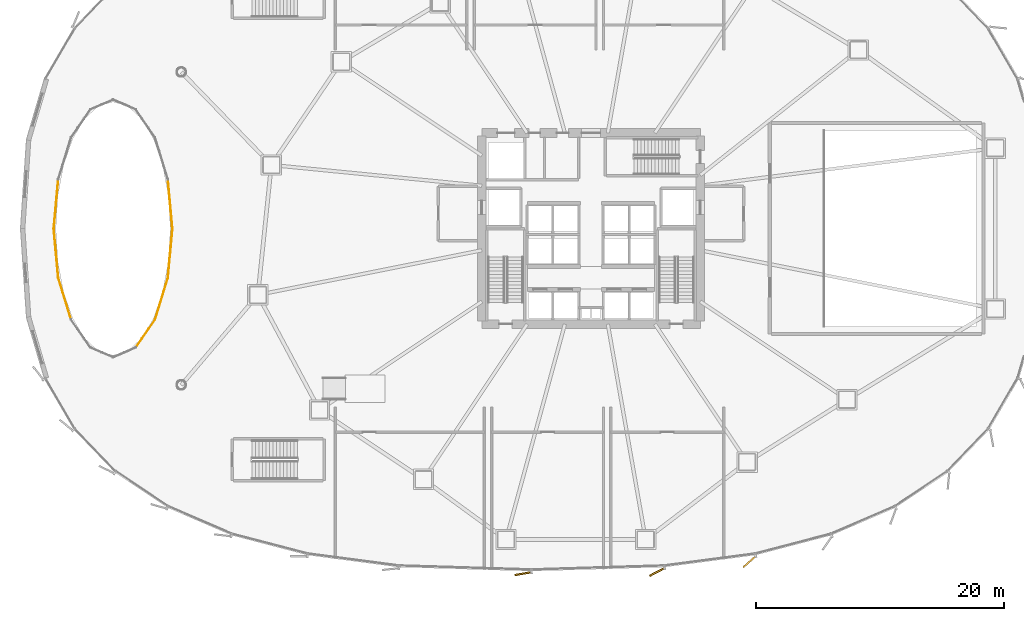
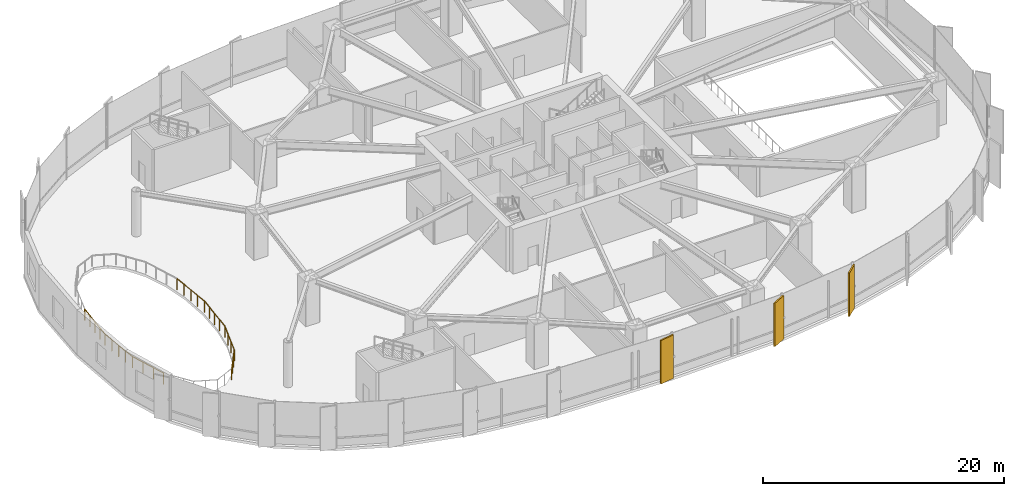
# One storey, part 30 of 34: 7 railings, 3 coverings.
"""IFC4 building model written with IfcOpenShell, lengths in metres."""

import ifcopenshell
import ifcopenshell.guid

model = None  # the IFC model being written
_history = None  # IfcOwnerHistory: only IFC2X3 demands one
_inside = {}  # id of a spatial element -> (the spatial element, [elements in it])
_under = {}  # id of a project, library or spatial element -> (it, [spatial elements below it])
_declared = {}  # id of a project -> (the project, [libraries it declares])
_typed = {}  # id of a type object -> (the type object, [elements of that type])
_made_of = {}  # id of a material, layer set ... -> (it, [elements and type objects made of it])


def new_model(schema):
    """Start an empty IFC model of exactly this schema.

    Asked for "IFC4X3", IfcOpenShell would pick the latest addendum, in which some entities
    have other attributes; the version numbers below select the first issue.
    IFC2X3 requires an IfcOwnerHistory on every rooted entity: one is made here for all.
    """
    global model, _history
    if schema == "IFC4X3":
        model = ifcopenshell.file(schema_version=(4, 3, 0, 0))
    else:
        model = ifcopenshell.file(schema=schema)
    _inside.clear()
    _under.clear()
    _declared.clear()
    _typed.clear()
    _made_of.clear()
    _history = None
    if model.schema == "IFC2X3":
        org = make("IfcOrganization", Name="unknown")
        user = make(
            "IfcPersonAndOrganization",
            ThePerson=make("IfcPerson", FamilyName="unknown"),
            TheOrganization=org,
        )
        app = make(
            "IfcApplication",
            ApplicationDeveloper=org,
            Version="unknown",
            ApplicationFullName="unknown",
            ApplicationIdentifier="unknown",
        )
        _history = make(
            "IfcOwnerHistory",
            OwningUser=user,
            OwningApplication=app,
            ChangeAction="ADDED",
            CreationDate=0,
        )
    return model


def make(cls, **values):
    """One entity of the class cls with the attributes given. An attribute that is None is left unset."""
    return model.create_entity(
        cls, **{name: value for name, value in values.items() if value is not None}
    )


def rooted(cls, **values):
    """An entity with a GlobalId (a new one), such as an element, a storey or a relation."""
    return make(cls, GlobalId=ifcopenshell.guid.new(), OwnerHistory=_history, **values)


def si_unit(unit_type, name, prefix=None):
    """IfcSIUnit, for example si_unit("LENGTHUNIT", "METRE", prefix="MILLI")."""
    return make("IfcSIUnit", UnitType=unit_type, Prefix=prefix, Name=name)


def assignment(units):
    """IfcUnitAssignment: the units of a project."""
    return None if units is None else make("IfcUnitAssignment", Units=units)


def point(xyz):
    """IfcCartesianPoint."""
    return None if xyz is None else make("IfcCartesianPoint", Coordinates=xyz)


def direction(xyz):
    """IfcDirection."""
    return None if xyz is None else make("IfcDirection", DirectionRatios=xyz)


def frame(location, z_axis=None, x_axis=None):
    """IfcAxis2Placement3D, a coordinate frame: its origin and axes. An axis left out is left unset."""
    return make(
        "IfcAxis2Placement3D",
        Location=point(location),
        Axis=direction(z_axis),
        RefDirection=direction(x_axis),
    )


def frame_2d(location, x_axis=None):
    """IfcAxis2Placement2D, a coordinate frame in the plane: its origin and x axis."""
    return make(
        "IfcAxis2Placement2D", Location=point(location), RefDirection=direction(x_axis)
    )


def origin():
    """The frame at (0, 0, 0) with its axes left unset."""
    return frame((0.0, 0.0, 0.0))


def origin_2d():
    """The frame at (0, 0) in the plane with its x axis left unset."""
    return frame_2d((0.0, 0.0))


def place(relative_to, where):
    """IfcLocalPlacement: puts the frame where relative to a parent placement (None: the world)."""
    return make(
        "IfcLocalPlacement", PlacementRelTo=relative_to, RelativePlacement=where
    )


def context(
    kind, dimensions, precision=None, world=None, true_north=None, identifier=None
):
    """IfcGeometricRepresentationContext, for example the 3D "Model" context."""
    return make(
        "IfcGeometricRepresentationContext",
        ContextIdentifier=identifier,
        ContextType=kind,
        CoordinateSpaceDimension=dimensions,
        Precision=precision,
        WorldCoordinateSystem=world,
        TrueNorth=true_north,
    )


def subcontext(parent, identifier, kind, view, scale=None):
    """IfcGeometricRepresentationSubContext, for example "Body" below "Model"."""
    return make(
        "IfcGeometricRepresentationSubContext",
        ContextIdentifier=identifier,
        ContextType=kind,
        ParentContext=parent,
        TargetScale=scale,
        TargetView=view,
    )


def project(units=None, contexts=None):
    """IfcProject with its units and contexts."""
    return rooted(
        "IfcProject",
        Name="project",
        RepresentationContexts=contexts,
        UnitsInContext=assignment(units),
    )


def spatial(cls, under=None, at=None, **own):
    """A site, building, storey or space (cls), placed at a placement, below another one or the project."""
    s = rooted(cls, ObjectPlacement=at, **own)
    if under is not None:
        _under.setdefault(under.id(), (under, []))[1].append(s)
    return s


def profile(cls, at=None, kind="AREA", **sizes):
    """A parametric profile (cls). Its sizes go by their IFC names, for example OverallWidth=200.0."""
    return make(cls, ProfileType=kind, Position=at, **sizes)


def rectangle(**sizes):
    """IfcRectangleProfileDef."""
    return profile("IfcRectangleProfileDef", **sizes)


def circle(**sizes):
    """IfcCircleProfileDef."""
    return profile("IfcCircleProfileDef", **sizes)


def extrude(swept, where, along, depth):
    """IfcExtrudedAreaSolid: the profile swept, set in the frame where, extruded along a direction by depth."""
    return make(
        "IfcExtrudedAreaSolid",
        SweptArea=swept,
        Position=where,
        ExtrudedDirection=direction(along),
        Depth=depth,
    )


def shape(context_of_items, identifier, shape_type, items):
    """IfcShapeRepresentation: the items that make up one representation, for example the "Body"."""
    return make(
        "IfcShapeRepresentation",
        ContextOfItems=context_of_items,
        RepresentationIdentifier=identifier,
        RepresentationType=shape_type,
        Items=items,
    )


def source(mapping_origin, context_of_items, identifier, shape_type, items):
    """IfcRepresentationMap: a shape defined once, which mapped items show again and again."""
    return make(
        "IfcRepresentationMap",
        MappingOrigin=mapping_origin,
        MappedRepresentation=shape(context_of_items, identifier, shape_type, items),
    )


def transform(
    local_origin,
    x_axis=None,
    y_axis=None,
    z_axis=None,
    scale=None,
    scale2=None,
    scale3=None,
    uniform=True,
):
    """IfcCartesianTransformationOperator3D, or its non-uniform kind. x_axis, y_axis, z_axis: its Axis1, 2, 3."""
    if uniform:
        return make(
            "IfcCartesianTransformationOperator3D",
            Axis1=direction(x_axis),
            Axis2=direction(y_axis),
            LocalOrigin=point(local_origin),
            Scale=scale,
            Axis3=direction(z_axis),
        )
    return make(
        "IfcCartesianTransformationOperator3DnonUniform",
        Axis1=direction(x_axis),
        Axis2=direction(y_axis),
        LocalOrigin=point(local_origin),
        Scale=scale,
        Axis3=direction(z_axis),
        Scale2=scale2,
        Scale3=scale3,
    )


def mapped(mapping_source, mapping_target):
    """IfcMappedItem: shows the shape of a source again, moved by a transform."""
    return make(
        "IfcMappedItem", MappingSource=mapping_source, MappingTarget=mapping_target
    )


def material(Name=None, Category=None):
    """IfcMaterial."""
    return make("IfcMaterial", Name=Name, Category=Category)


def layer(
    of_material, thickness, ventilated=None, Name=None, Category=None, Priority=None
):
    """IfcMaterialLayer: one layer of a wall or slab, of a material (None: an air gap)."""
    return make(
        "IfcMaterialLayer",
        Material=of_material,
        LayerThickness=thickness,
        IsVentilated=ventilated,
        Name=Name,
        Category=Category,
        Priority=Priority,
    )


def layer_set(layers, Name=None):
    """IfcMaterialLayerSet."""
    return make("IfcMaterialLayerSet", MaterialLayers=layers, LayerSetName=Name)


def made_of(thing, what):
    """Note that an element or type object is made of a material, layer set ...; save() writes the relation."""
    if what is not None:
        _made_of.setdefault(what.id(), (what, []))[1].append(thing)
    return thing


def type_object(cls, material=None, **own):
    """A type object (cls), such as IfcWallType, which elements share."""
    return made_of(rooted(cls, **own), material)


def element(
    cls,
    number,
    at=None,
    inside=None,
    cuts=None,
    type_object=None,
    material=None,
    context=None,
    identifier="Body",
    shape_type=None,
    held_by="IfcProductDefinitionShape",
    body=None,
    shapes=None,
    **own,
):
    """One element of the class cls, such as IfcWall. Its Tag is "e" and its number.

    at: its placement. inside: the storey or other place that contains it. cuts: it is an
    opening in that element (IfcRelVoidsElement). A single representation is given by context,
    identifier, shape_type and body (its items); several are given by shapes. held_by: the class
    of the entity that holds the representations. save() writes the other relations.
    """
    e = rooted(cls, Tag="e%d" % number, ObjectPlacement=at, **own)
    if body is not None:
        shapes = [shape(context, identifier, shape_type, body)]
    if shapes is not None:
        e.Representation = make(held_by, Representations=shapes)
    if inside is not None:
        _inside.setdefault(inside.id(), (inside, []))[1].append(e)
    if cuts is not None:
        rooted(
            "IfcRelVoidsElement", RelatingBuildingElement=cuts, RelatedOpeningElement=e
        )
    if type_object is not None:
        _typed.setdefault(type_object.id(), (type_object, []))[1].append(e)
    return made_of(e, material)


def aggregate(whole, parts):
    """IfcRelAggregates: a whole, such as a stair, and the parts it consists of."""
    return rooted("IfcRelAggregates", RelatingObject=whole, RelatedObjects=parts)


def save(model, path):
    """Write the relations noted so far, then the file.

    IfcRelAggregates (storeys below a building ...), IfcRelContainedInSpatialStructure (elements
    in a storey), IfcRelDefinesByType, IfcRelAssociatesMaterial and IfcRelDeclares: one each for
    every whole, place, type object, material and project.
    """
    for whole, parts in _under.values():
        aggregate(whole, parts)
    for where, things in _inside.values():
        rooted(
            "IfcRelContainedInSpatialStructure",
            RelatedElements=things,
            RelatingStructure=where,
        )
    for kind, things in _typed.values():
        rooted("IfcRelDefinesByType", RelatedObjects=things, RelatingType=kind)
    for what, things in _made_of.values():
        rooted("IfcRelAssociatesMaterial", RelatedObjects=things, RelatingMaterial=what)
    for by, libraries in _declared.values():
        rooted("IfcRelDeclares", RelatingContext=by, RelatedDefinitions=libraries)
    model.write(path)


model = new_model("IFC4")

# Units and contexts
model_context = context("Model", 3, precision=1e-05, world=origin(), true_north=direction((0.0, 1.0)))
body_context = subcontext(model_context, "Body", "Model", "MODEL_VIEW")
ifc_project = project(units=[si_unit("LENGTHUNIT", "METRE"), si_unit("AREAUNIT", "SQUARE_METRE"), si_unit("VOLUMEUNIT", "CUBIC_METRE"), si_unit("PLANEANGLEUNIT", "RADIAN"), si_unit("MASSUNIT", "GRAM", prefix="KILO"), si_unit("THERMODYNAMICTEMPERATUREUNIT", "KELVIN")], contexts=[model_context])

# Site, building, storey
site_placement = place(None, origin())
site = spatial("IfcSite", under=ifc_project, at=site_placement, CompositionType="ELEMENT")
building_placement = place(site_placement, origin())
building = spatial("IfcBuilding", under=site, at=building_placement, Name="Kethvar Cultural Tower", CompositionType="ELEMENT")
storey_placement = place(building_placement, frame((0.0, 0.0, 14.800048828125)))
storey = spatial("IfcBuildingStorey", under=building, at=storey_placement, Name="L03", CompositionType="ELEMENT", Elevation=14.800048828125)

# Railings
ifc_material_1 = material(Name="Steel S355J2", Category="steel")
railing_type = type_object("IfcRailingType", Name="RL-INT-ATRIUM-1150", PredefinedType="BALUSTRADE", material=ifc_material_1)
railing_1_placement = place(storey_placement, frame((13.080078125, 27.800048828125, 0.0)))
element("IfcRailing", 1, at=railing_1_placement, inside=storey, type_object=railing_type, Name="L03 Atrium Void Balustrade 01", PredefinedType="BALUSTRADE", context=body_context, shape_type="SweptSolid", body=[
    extrude(circle(Radius=0.02392578125, at=origin_2d()), frame((0.0, 0.0, 1.1259765625), z_axis=(-0.091258659419, 0.995827222504, 0.0), x_axis=(-0.995827222504, -0.091258659419, 0.0)), (0.0, 0.0, 1.0), 3.98876953125),
    extrude(circle(Radius=0.02099609375, at=origin_2d()), origin(), (0.0, 0.0, 1.0), 1.101806640625),
    extrude(circle(Radius=0.02099609375, at=origin_2d()), frame((-0.091064453125, 0.9931640625, 0.0)), (0.0, 0.0, 1.0), 1.101806640625),
    extrude(circle(Radius=0.02099609375, at=origin_2d()), frame((-0.18212890625, 1.986083984375, 0.0)), (0.0, 0.0, 1.0), 1.101806640625),
    extrude(circle(Radius=0.02099609375, at=origin_2d()), frame((-0.27294921875, 2.97900390625, 0.0)), (0.0, 0.0, 1.0), 1.101806640625),
    extrude(circle(Radius=0.02099609375, at=origin_2d()), frame((-0.364013671875, 3.97216796875, 0.0)), (0.0, 0.0, 1.0), 1.101806640625),
])
railing_2_placement = place(storey_placement, frame((3.8837890625, 31.772216796875, 0.0)))
element("IfcRailing", 2, at=railing_2_placement, inside=storey, type_object=railing_type, Name="L03 Atrium Void Balustrade 08", PredefinedType="BALUSTRADE", context=body_context, shape_type="SweptSolid", body=[
    extrude(circle(Radius=0.02392578125, at=origin_2d()), frame((0.0, 0.0, 1.1259765625), z_axis=(-0.091197962302, -0.995832782987, 0.0), x_axis=(0.995832782987, -0.091197962302, 0.0)), (0.0, 0.0, 1.0), 3.98876953125),
    extrude(circle(Radius=0.02099609375, at=origin_2d()), origin(), (0.0, 0.0, 1.0), 1.101806640625),
    extrude(circle(Radius=0.02099609375, at=origin_2d()), frame((-0.0908203125, -0.9931640625, 0.0)), (0.0, 0.0, 1.0), 1.101806640625),
    extrude(circle(Radius=0.02099609375, at=origin_2d()), frame((-0.181884765625, -1.986083984375, 0.0)), (0.0, 0.0, 1.0), 1.101806640625),
    extrude(circle(Radius=0.02099609375, at=origin_2d()), frame((-0.27294921875, -2.97900390625, 0.0)), (0.0, 0.0, 1.0), 1.101806640625),
    extrude(circle(Radius=0.02099609375, at=origin_2d()), frame((-0.36376953125, -3.97216796875, 0.0)), (0.0, 0.0, 1.0), 1.101806640625),
])
railing_3_placement = place(storey_placement, frame((3.52001953125, 27.800048828125, 0.0)))
element("IfcRailing", 3, at=railing_3_placement, inside=storey, type_object=railing_type, Name="L03 Atrium Void Balustrade 09", PredefinedType="BALUSTRADE", context=body_context, shape_type="SweptSolid", body=[
    extrude(circle(Radius=0.02392578125, at=origin_2d()), frame((0.0, 0.0, 1.1259765625), z_axis=(0.091192403975, -0.995833292001, 0.0), x_axis=(0.995833292001, 0.091192403975, 0.0)), (0.0, 0.0, 1.0), 3.989013671875),
    extrude(circle(Radius=0.02099609375, at=origin_2d()), origin(), (0.0, 0.0, 1.0), 1.101806640625),
    extrude(circle(Radius=0.02099609375, at=origin_2d()), frame((0.0908203125, -0.9931640625, 0.0)), (0.0, 0.0, 1.0), 1.101806640625),
    extrude(circle(Radius=0.02099609375, at=origin_2d()), frame((0.181884765625, -1.986328125, 0.0)), (0.0, 0.0, 1.0), 1.101806640625),
    extrude(circle(Radius=0.02099609375, at=origin_2d()), frame((0.27294921875, -2.979248046875, 0.0)), (0.0, 0.0, 1.0), 1.101806640625),
    extrude(circle(Radius=0.02099609375, at=origin_2d()), frame((0.36376953125, -3.972412109375, 0.0)), (0.0, 0.0, 1.0), 1.101806640625),
])
railing_4_placement = place(storey_placement, frame((3.8837890625, 23.82763671875, 0.0)))
element("IfcRailing", 4, at=railing_4_placement, inside=storey, type_object=railing_type, Name="L03 Atrium Void Balustrade 10", PredefinedType="BALUSTRADE", context=body_context, shape_type="SweptSolid", body=[
    extrude(circle(Radius=0.02392578125, at=origin_2d()), frame((0.0, 0.0, 1.1259765625), z_axis=(0.294085848838, -0.955779008722, 0.0), x_axis=(0.955779008722, 0.294085848838, 0.0)), (0.0, 0.0, 1.0), 3.523193359375),
    extrude(circle(Radius=0.02099609375, at=origin_2d()), origin(), (0.0, 0.0, 1.0), 1.101806640625),
    extrude(circle(Radius=0.02099609375, at=origin_2d()), frame((0.345458984375, -1.12255859375, 0.0)), (0.0, 0.0, 1.0), 1.101806640625),
    extrude(circle(Radius=0.02099609375, at=origin_2d()), frame((0.690673828125, -2.244873046875, 0.0)), (0.0, 0.0, 1.0), 1.101806640625),
    extrude(circle(Radius=0.02099609375, at=origin_2d()), frame((1.0361328125, -3.367431640625, 0.0)), (0.0, 0.0, 1.0), 1.101806640625),
])
railing_5_placement = place(storey_placement, frame((10.129150390625, 18.210205078125, 0.0)))
element("IfcRailing", 5, at=railing_5_placement, inside=storey, type_object=railing_type, Name="L03 Atrium Void Balustrade 14", PredefinedType="BALUSTRADE", context=body_context, shape_type="SweptSolid", body=[
    extrude(circle(Radius=0.02392578125, at=origin_2d()), frame((0.0, 0.0, 1.1259765625), z_axis=(0.567499103601, 0.823374014293, 0.0), x_axis=(-0.823374014293, 0.567499103601, 0.0)), (0.0, 0.0, 1.0), 2.732666015625),
    extrude(circle(Radius=0.02099609375, at=origin_2d()), origin(), (0.0, 0.0, 1.0), 1.101806640625),
    extrude(circle(Radius=0.02099609375, at=origin_2d()), frame((0.516845703125, 0.75, 0.0)), (0.0, 0.0, 1.0), 1.101806640625),
    extrude(circle(Radius=0.02099609375, at=origin_2d()), frame((1.033935546875, 1.5, 0.0)), (0.0, 0.0, 1.0), 1.101806640625),
    extrude(circle(Radius=0.02099609375, at=origin_2d()), frame((1.55078125, 2.25, 0.0)), (0.0, 0.0, 1.0), 1.101806640625),
])
railing_6_placement = place(storey_placement, frame((11.679931640625, 20.460205078125, 0.0)))
element("IfcRailing", 6, at=railing_6_placement, inside=storey, type_object=railing_type, Name="L03 Atrium Void Balustrade 15", PredefinedType="BALUSTRADE", context=body_context, shape_type="SweptSolid", body=[
    extrude(circle(Radius=0.02392578125, at=origin_2d()), frame((0.0, 0.0, 1.1259765625), z_axis=(0.294085848838, 0.955779008722, 0.0), x_axis=(-0.955779008722, 0.294085848838, 0.0)), (0.0, 0.0, 1.0), 3.523193359375),
    extrude(circle(Radius=0.02099609375, at=origin_2d()), origin(), (0.0, 0.0, 1.0), 1.101806640625),
    extrude(circle(Radius=0.02099609375, at=origin_2d()), frame((0.345458984375, 1.12255859375, 0.0)), (0.0, 0.0, 1.0), 1.101806640625),
    extrude(circle(Radius=0.02099609375, at=origin_2d()), frame((0.690673828125, 2.244873046875, 0.0)), (0.0, 0.0, 1.0), 1.101806640625),
    extrude(circle(Radius=0.02099609375, at=origin_2d()), frame((1.0361328125, 3.367431640625, 0.0)), (0.0, 0.0, 1.0), 1.101806640625),
])
railing_7_placement = place(storey_placement, frame((12.716064453125, 23.82763671875, 0.0)))
element("IfcRailing", 7, at=railing_7_placement, inside=storey, type_object=railing_type, Name="L03 Atrium Void Balustrade 16", PredefinedType="BALUSTRADE", context=body_context, shape_type="SweptSolid", body=[
    extrude(circle(Radius=0.02392578125, at=origin_2d()), frame((0.0, 0.0, 1.1259765625), z_axis=(0.091253097456, 0.995827732193, 0.0), x_axis=(-0.995827732193, 0.091253097456, 0.0)), (0.0, 0.0, 1.0), 3.989013671875),
    extrude(circle(Radius=0.02099609375, at=origin_2d()), origin(), (0.0, 0.0, 1.0), 1.101806640625),
    extrude(circle(Radius=0.02099609375, at=origin_2d()), frame((0.091064453125, 0.9931640625, 0.0)), (0.0, 0.0, 1.0), 1.101806640625),
    extrude(circle(Radius=0.02099609375, at=origin_2d()), frame((0.18212890625, 1.986328125, 0.0)), (0.0, 0.0, 1.0), 1.101806640625),
    extrude(circle(Radius=0.02099609375, at=origin_2d()), frame((0.27294921875, 2.979248046875, 0.0)), (0.0, 0.0, 1.0), 1.101806640625),
    extrude(circle(Radius=0.02099609375, at=origin_2d()), frame((0.364013671875, 3.972412109375, 0.0)), (0.0, 0.0, 1.0), 1.101806640625),
])

# Coverings
ifc_material_2 = material(Name="Extruded Architectural Terracotta", Category="masonry")
ifc_layer = layer(ifc_material_2, 0.135009765625, Name="Extruded Architectural Terracotta", Category="masonry")
ifc_layer_set = layer_set([ifc_layer], Name="Extruded Architectural Terracotta (135 mm)")
covering_type = type_object("IfcCoveringType", Name="Terracotta Facade Fin FIN-04", PredefinedType="CLADDING", material=ifc_layer_set)
shared_shape = source(origin(), body_context, "Body", "SweptSolid", [
    extrude(rectangle(XDim=1.35009765625, YDim=0.135009765625, at=origin_2d()), origin(), (0.0, 0.0, 1.0), 4.39990234375),
])
for number, where, z_axis, x_axis, name in (
    (8, (41.337158203125, 0.005859375, 0.02001953125), (0.0, 0.0, 1.0), (-0.985615113142, -0.169005469575, 0.0), "L03 Vertical Terracotta Fin 5.2"),
    (9, (52.12451171875, 0.137939453125, 0.02001953125), (0.0, 0.0, 1.0), (-0.891481453292, -0.453057191132, 0.0), "L03 Vertical Terracotta Fin 5.3"),
    (10, (59.564697265625, 0.964599609375, 0.02001953125), (0.0, 0.0, 1.0), (-0.748608671094, -0.663012109666, 0.0), "L03 Vertical Terracotta Fin 5.4"),
):
    element("IfcCovering", number, at=place(storey_placement, frame(where, z_axis=z_axis, x_axis=x_axis)), inside=storey, type_object=covering_type, Name=name, PredefinedType="CLADDING", context=body_context, shape_type="MappedRepresentation", body=[
        mapped(shared_shape, transform((0.0, 0.0, 0.0), scale=1.0)),
    ])

save(model, "model.ifc")
